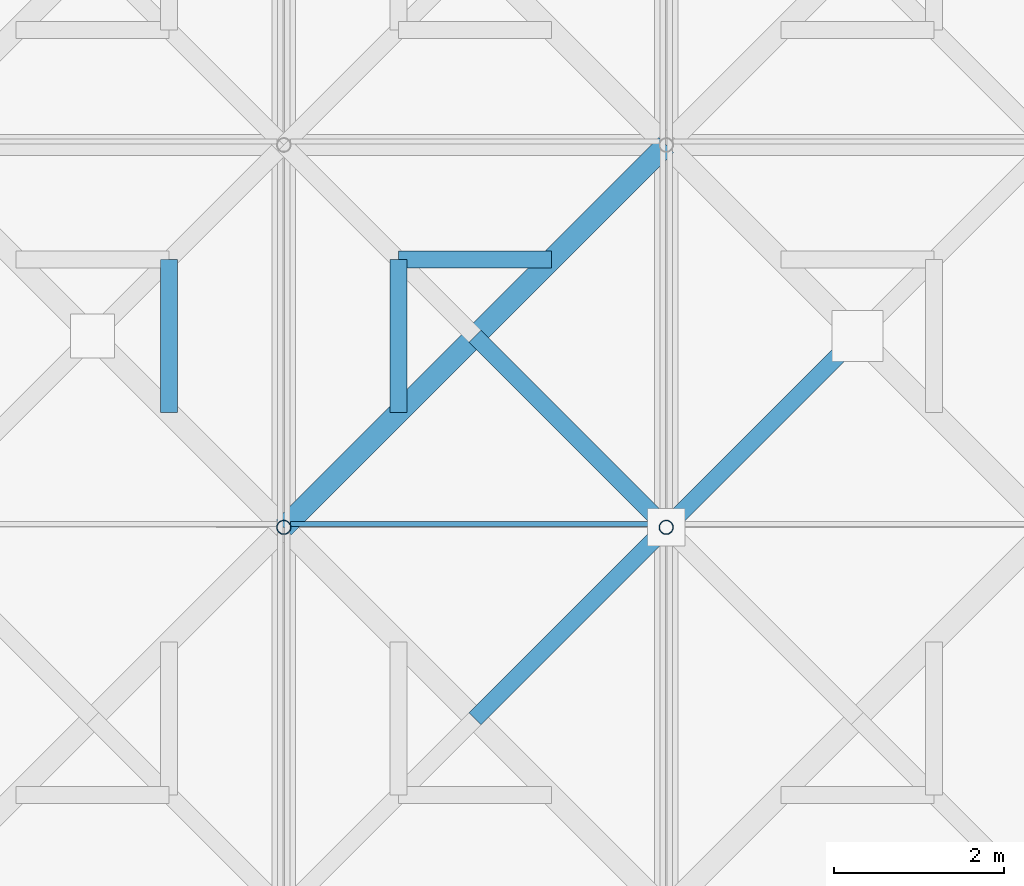
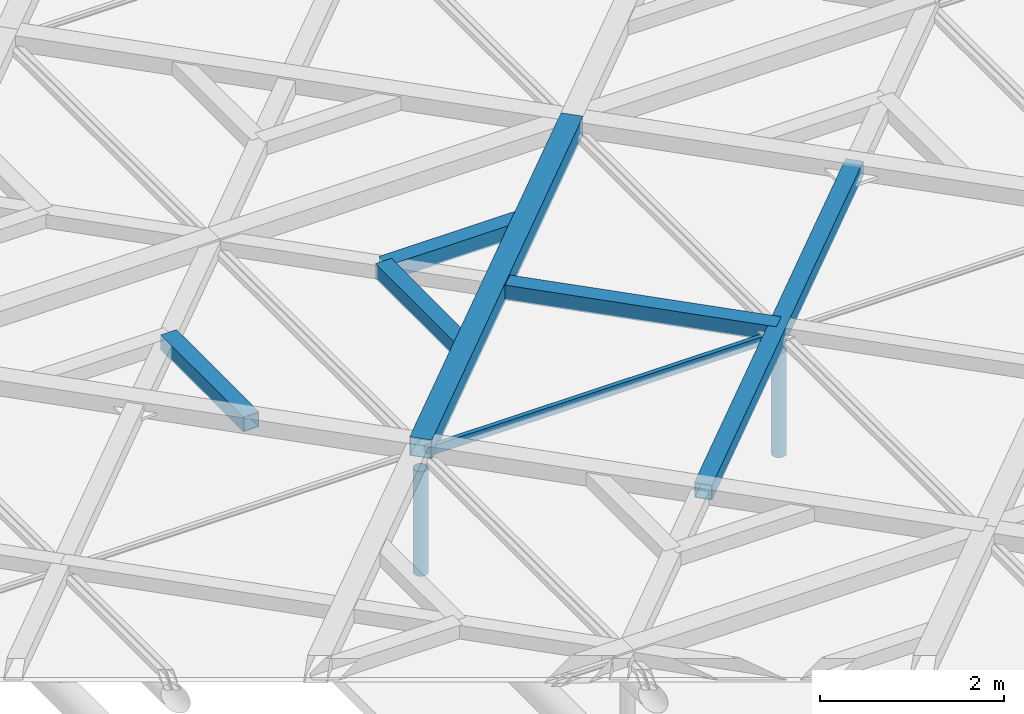
# One storey, part 48 of 80: 9 members, 1 element without a shape of its own.
"""IFC4 building model written with IfcOpenShell, lengths in metres."""

from ifc_helpers import new_model, si_unit, direction, frame, origin, origin_2d, place, context, subcontext, project, spatial, rectangle, hollow_rectangle, hollow_circle, extrude, material, material_profile, profile_set, type_object, element, aggregate, save


model = new_model("IFC4")

# Units and contexts
model_context = context("Model", 3, precision=1e-05, world=origin(), true_north=direction((0.0, 1.0)))
body_context = subcontext(model_context, "Body", "Model", "MODEL_VIEW")
ifc_project = project(units=[si_unit("LENGTHUNIT", "METRE"), si_unit("AREAUNIT", "SQUARE_METRE"), si_unit("VOLUMEUNIT", "CUBIC_METRE"), si_unit("PLANEANGLEUNIT", "RADIAN"), si_unit("MASSUNIT", "GRAM", prefix="KILO"), si_unit("THERMODYNAMICTEMPERATUREUNIT", "KELVIN"), si_unit("POWERUNIT", "WATT")], contexts=[model_context])

# Site, building, storey
site_placement = place(None, origin())
site = spatial("IfcSite", under=ifc_project, at=site_placement, CompositionType="ELEMENT")
building_placement = place(site_placement, origin())
building = spatial("IfcBuilding", under=site, at=building_placement, Name="Tallowbark Science Centre", CompositionType="ELEMENT")
storey_placement = place(building_placement, frame((0.0, 0.0, 25.949951171875)))
storey = spatial("IfcBuildingStorey", under=building, at=storey_placement, Name="ROOF", CompositionType="ELEMENT", Elevation=25.949951171875)

# Curtain wall, member
ifc_material_1 = material(Name="Blue-Tinted Laminated Low-E Skylight Glass", Category="glass")
curtain_wall_type = type_object("IfcCurtainWallType", Name="CW-SKY-ROOF", PredefinedType="NOTDEFINED", material=ifc_material_1)
curtain_wall_placement = place(storey_placement, origin())
curtain_wall = element("IfcCurtainWall", 1, at=curtain_wall_placement, inside=storey, type_object=curtain_wall_type, Name="Exhibition Star-Screen Skylight Bay 10", PredefinedType="NOTDEFINED")
ifc_material_2 = material(Name="Anodised Architectural Aluminium Alloy 6063-T6", Category="aluminium")
ifc_material_profile_1 = material_profile(ifc_material_2, rectangle(XDim=0.054931640625, YDim=0.1201171875, at=origin_2d()), Name="ALU55x120")
ifc_profile_set_1 = profile_set([ifc_material_profile_1], Name="Anodised Architectural Aluminium Alloy 6063-T6")
member_type_1 = type_object("IfcMemberType", Name="CWM-SKY-TRN", PredefinedType="USERDEFINED", material=ifc_profile_set_1)
member_1_placement = place(storey_placement, frame((94.580078125, 27.0400390625, 0.35205078125), z_axis=(1.0, 0.0, 0.0), x_axis=(0.0, 1.0, 0.0)))
member_1 = element("IfcMember", 2, at=member_1_placement, type_object=member_type_1, Name="Skylight Bay 10 Transom 7", ObjectType="TRANSOM", PredefinedType="USERDEFINED", context=body_context, shape_type="SweptSolid", body=[
    extrude(rectangle(XDim=0.054931640625, YDim=0.1201171875, at=origin_2d()), origin(), (0.0, 0.0, 1.0), 4.33984375),
])
aggregate(curtain_wall, [member_1])

# Members
ifc_material_3 = material(Name="White Architectural Painted Steel Grade C350L0 (350 MPa)", Category="steel")
ifc_material_profile_2 = material_profile(ifc_material_3, hollow_rectangle(XDim=0.25, YDim=0.25, WallThickness=0.009033203125, at=origin_2d()), Name="250x250x9.0SHS")
ifc_profile_set_2 = profile_set([ifc_material_profile_2], Name="White Architectural Painted Steel Grade C350L0 (350 MPa)")
member_type_2 = type_object("IfcMemberType", Name="SCR-CHD200", PredefinedType="CHORD", material=ifc_profile_set_2)
member_2_placement = place(storey_placement, frame((99.0, 31.5, 0.449951171875), z_axis=(-0.707106781187, -0.707106781187, 0.0), x_axis=(0.707106781187, -0.707106781187, 0.0)))
element("IfcMember", 3, at=member_2_placement, inside=storey, type_object=member_type_2, Name="Star Screen Octagram Diamond Chord TOP-72-3", PredefinedType="CHORD", context=body_context, shape_type="SweptSolid", body=[
    extrude(hollow_rectangle(XDim=0.25, YDim=0.25, WallThickness=0.009033203125, at=origin_2d()), origin(), (0.0, 0.0, 1.0), 6.364013671875),
])
ifc_material_profile_3 = material_profile(ifc_material_3, hollow_rectangle(XDim=0.199951171875, YDim=0.199951171875, WallThickness=0.009033203125, at=origin_2d()), Name="200x200x9.0SHS")
ifc_profile_set_3 = profile_set([ifc_material_profile_3], Name="White Architectural Painted Steel Grade C350L0 (350 MPa)")
member_type_3 = type_object("IfcMemberType", Name="SCR-STAR139", PredefinedType="BRACE", material=ifc_profile_set_3)
member_3_placement = place(storey_placement, frame((96.75, 24.75, 0.449951171875), z_axis=(0.707106781187, 0.707106781187, 0.0), x_axis=(-0.707106781187, 0.707106781187, 0.0)))
element("IfcMember", 4, at=member_3_placement, inside=storey, type_object=member_type_3, Name="Star Screen Continuous X-Diagonal D1M TOP-72", PredefinedType="BRACE", context=body_context, shape_type="SweptSolid", body=[
    extrude(hollow_rectangle(XDim=0.199951171875, YDim=0.199951171875, WallThickness=0.009033203125, at=origin_2d()), origin(), (0.0, 0.0, 1.0), 6.364013671875),
])
member_4_placement = place(storey_placement, frame((96.75, 29.25, 0.449951171875), z_axis=(0.707106781187, -0.707106781187, 0.0), x_axis=(0.707106781187, 0.707106781187, 0.0)))
element("IfcMember", 5, at=member_4_placement, inside=storey, type_object=member_type_3, Name="Star Screen Split X-Diagonal D2B TOP-72", PredefinedType="BRACE", context=body_context, shape_type="SweptSolid", body=[
    extrude(hollow_rectangle(XDim=0.199951171875, YDim=0.199951171875, WallThickness=0.009033203125, at=origin_2d()), origin(), (0.0, 0.0, 1.0), 3.181884765625),
])
ifc_material_profile_4 = material_profile(ifc_material_3, hollow_rectangle(XDim=0.199951171875, YDim=0.199951171875, WallThickness=0.009033203125, at=origin_2d()), Name="200x200x9.0SHS")
ifc_profile_set_4 = profile_set([ifc_material_profile_4], Name="White Architectural Painted Steel Grade C350L0 (350 MPa)")
member_type_4 = type_object("IfcMemberType", Name="SCR-SUB150", PredefinedType="BRACE", material=ifc_profile_set_4)
for number, where, z_axis, x_axis, name in (
    (6, (93.14990234375, 30.14990234375, 0.449951171875), (0.0, -1.0, 0.0), (1.0, 0.0, 0.0), "Star Screen Octagram Point Ray TOP-68-6"),
    (7, (95.85009765625, 30.14990234375, 0.449951171875), (1.0, 0.0, 0.0), (0.0, 1.0, 0.0), "Star Screen Octagram Point Ray TOP-72-7"),
    (8, (95.85009765625, 30.14990234375, 0.449951171875), (0.0, -1.0, 0.0), (1.0, 0.0, 0.0), "Star Screen Octagram Point Ray TOP-72-8"),
):
    element("IfcMember", number, at=place(storey_placement, frame(where, z_axis=z_axis, x_axis=x_axis)), inside=storey, type_object=member_type_4, Name=name, PredefinedType="BRACE", context=body_context, shape_type="SweptSolid", body=[
        extrude(hollow_rectangle(XDim=0.199951171875, YDim=0.199951171875, WallThickness=0.009033203125, at=origin_2d()), origin(), (0.0, 0.0, 1.0), 1.7998046875),
    ])
ifc_material_profile_5 = material_profile(ifc_material_3, hollow_circle(Radius=0.084228515625, WallThickness=0.007080078125, at=origin_2d()), Name="168.3x7.1CHS")
ifc_profile_set_5 = profile_set([ifc_material_profile_5], Name="White Architectural Painted Steel Grade C350L0 (350 MPa)")
member_type_5 = type_object("IfcMemberType", Name="TR-WEB168", PredefinedType="BRACE", material=ifc_profile_set_5)
for number, where, z_axis, x_axis, name in (
    (9, (94.5, 27.0, -1.199951171875), (0.0, 0.0, 1.0), (1.0, 0.0, 0.0), "Exhibition Roof Truss Web 9-27"),
    (10, (99.0, 27.0, -1.199951171875), (0.0, 0.0, 1.0), (1.0, 0.0, 0.0), "Exhibition Roof Truss Web 10-27"),
):
    element("IfcMember", number, at=place(storey_placement, frame(where, z_axis=z_axis, x_axis=x_axis)), inside=storey, type_object=member_type_5, Name=name, PredefinedType="BRACE", context=body_context, shape_type="SweptSolid", body=[
        extrude(hollow_circle(Radius=0.084228515625, WallThickness=0.007080078125, at=origin_2d()), origin(), (0.0, 0.0, 1.0), 1.389892578125),
    ])

save(model, "model.ifc")
